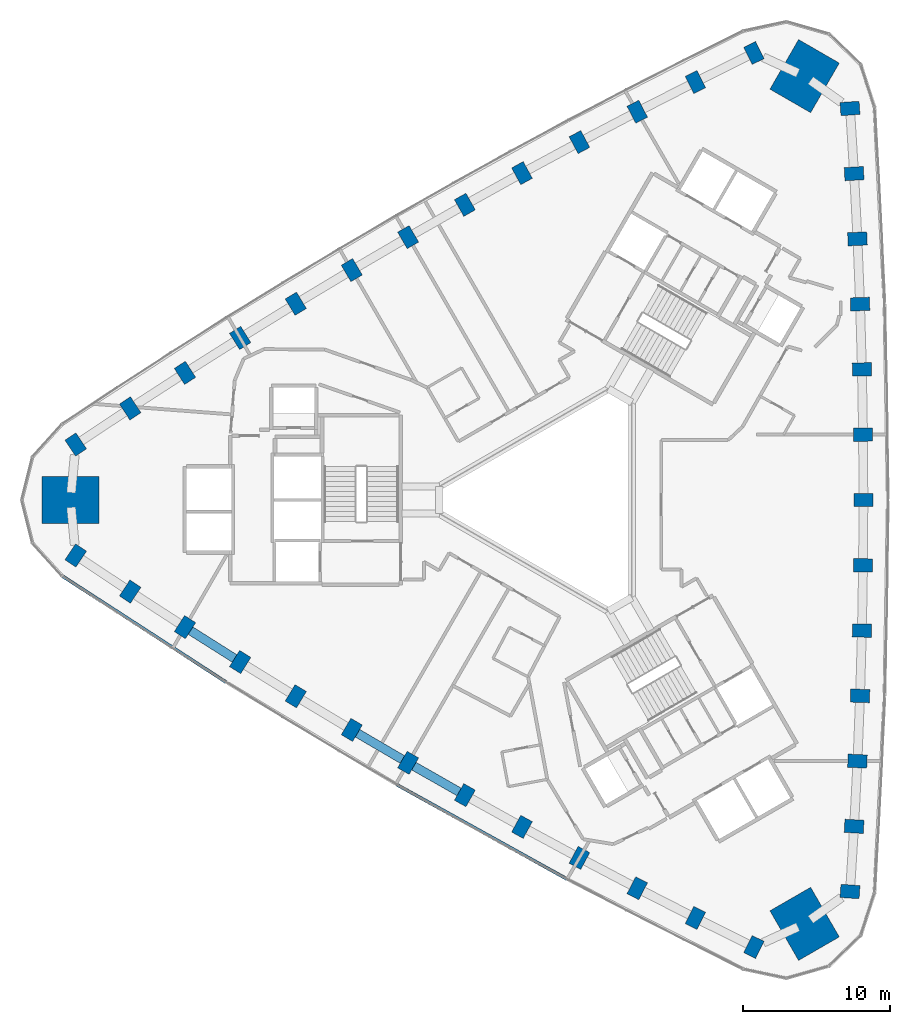
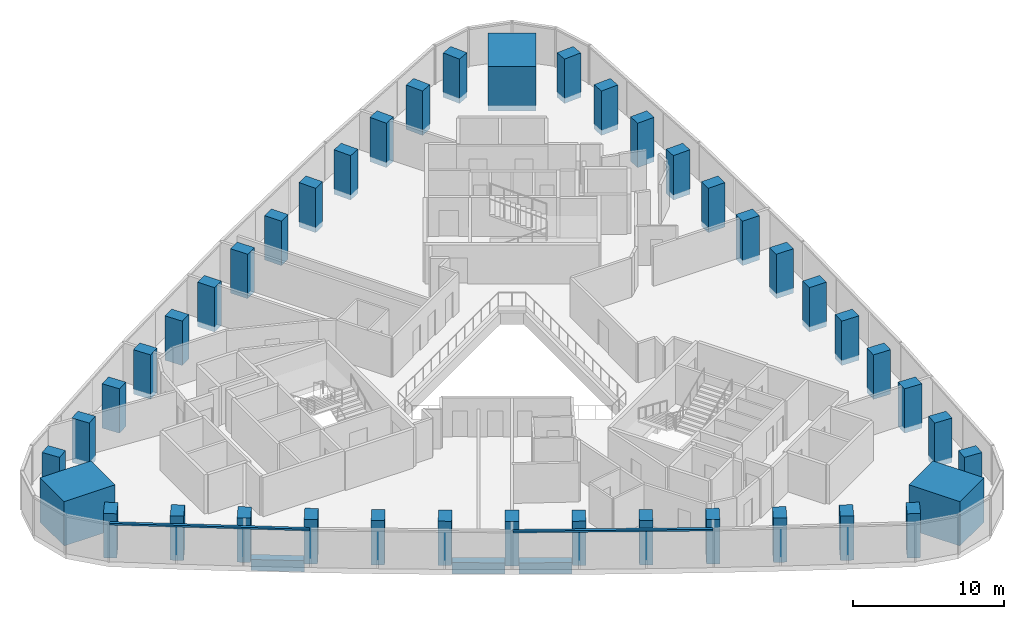
# One storey, part 1 of 12: 42 columns, 3 beams, 2 members, 1 element without a shape of its own.
"""IFC4 building model written with IfcOpenShell, lengths in metres."""

from ifc_helpers import new_model, si_unit, direction, frame, origin, origin_2d, place, context, subcontext, project, spatial, rectangle, extrude, material, material_profile, profile_set, type_object, element, aggregate, save


model = new_model("IFC4")

# Units and contexts
model_context = context("Model", 3, precision=1e-05, world=origin(), true_north=direction((0.0, 1.0)))
body_context = subcontext(model_context, "Body", "Model", "MODEL_VIEW")
ifc_project = project(units=[si_unit("LENGTHUNIT", "METRE"), si_unit("AREAUNIT", "SQUARE_METRE"), si_unit("VOLUMEUNIT", "CUBIC_METRE"), si_unit("PLANEANGLEUNIT", "RADIAN"), si_unit("MASSUNIT", "GRAM", prefix="KILO")], contexts=[model_context])

# Site, building, storey
site_placement = place(None, origin())
site = spatial("IfcSite", under=ifc_project, at=site_placement, CompositionType="ELEMENT")
building_placement = place(site_placement, origin())
building = spatial("IfcBuilding", under=site, at=building_placement, Name="Tamra Quay Hotel Tower", CompositionType="ELEMENT")
storey_placement = place(building_placement, frame((0.0, 0.0, 83.0)))
storey = spatial("IfcBuildingStorey", under=building, at=storey_placement, Name="L19", CompositionType="ELEMENT", Elevation=83.0)

# Columns
ifc_material_1 = material(Name="Concrete M70", Category="concrete")
ifc_material_profile_1 = material_profile(ifc_material_1, rectangle(XDim=1.300048828125, YDim=0.89990234375, at=origin_2d()), Name="COLUMN RC 900x1300 Z2")
ifc_profile_set_1 = profile_set([ifc_material_profile_1], Name="Concrete M70")
column_type_1 = type_object("IfcColumnType", Name="COLUMN RC 900x1300 Z2", PredefinedType="COLUMN", material=ifc_profile_set_1)
for number, where, z_axis, x_axis, name in (
    (1, (19.746337890625, -26.648681640625, -0.425048828125), (0.0, 0.0, 1.0), (-0.997682497858, 0.068041409955, 0.0), "COL-C2E01-L19"),
    (2, (20.02490234375, -22.212158203125, -0.425048828125), (0.0, 0.0, 1.0), (-0.998368034899, 0.057107502941, 0.0), "COL-C2E02-L19"),
    (3, (20.2529296875, -17.773193359375, -0.425048828125), (0.0, 0.0, 1.0), (-0.99895467426, 0.04571169187, 0.0), "COL-C2E03-L19"),
    (4, (20.430419921875, -13.331787109375, -0.425048828125), (0.0, 0.0, 1.0), (-0.999411600314, 0.034299462929, 0.0), "COL-C2E04-L19"),
    (5, (20.557373046875, -8.888916015625, -0.425048828125), (0.0, 0.0, 1.0), (-0.999738355025, 0.022874035338, 0.0), "COL-C2E05-L19"),
    (6, (20.633544921875, -4.44482421875, -0.425048828125), (0.0, 0.0, 1.0), (-0.999934576635, 0.01143863846, 0.0), "COL-C2E06-L19"),
    (7, (20.658935546875, 0.0, -0.425048828125), (0.0, 0.0, 1.0), (1.0, 0.0, 0.0), "COL-C2E07-L19"),
    (8, (20.633544921875, 4.44482421875, -0.425048828125), (0.0, 0.0, 1.0), (0.999934576635, 0.01143863846, 0.0), "COL-C2E08-L19"),
    (9, (20.557373046875, 8.888916015625, -0.425048828125), (0.0, 0.0, 1.0), (0.999738355025, 0.022874035338, 0.0), "COL-C2E09-L19"),
    (10, (20.430419921875, 13.331787109375, -0.425048828125), (0.0, 0.0, 1.0), (0.999411600314, 0.034299462929, 0.0), "COL-C2E10-L19"),
    (11, (20.2529296875, 17.773193359375, -0.425048828125), (0.0, 0.0, 1.0), (0.99895467426, 0.04571169187, 0.0), "COL-C2E11-L19"),
    (12, (20.02490234375, 22.212158203125, -0.425048828125), (0.0, 0.0, 1.0), (0.998368034899, 0.057107502941, 0.0), "COL-C2E12-L19"),
    (13, (19.746337890625, 26.648681640625, -0.425048828125), (0.0, 0.0, 1.0), (0.997682497858, 0.068041409955, 0.0), "COL-C2E13-L19"),
    (14, (13.205078125, 30.425048828125, -0.425048828125), (0.0, 0.0, 1.0), (-0.439915659398, 0.898039093033, 0.0), "COL-C2NW01-L19"),
    (15, (9.223876953125, 28.4482421875, -0.425048828125), (0.0, 0.0, 1.0), (-0.449727469156, 0.893165832019, 0.0), "COL-C2NW02-L19"),
    (16, (5.265625, 26.42626953125, -0.425048828125), (0.0, 0.0, 1.0), (-0.459889850721, 0.887975971074, 0.0), "COL-C2NW03-L19"),
    (17, (1.33056640625, 24.359375, -0.425048828125), (0.0, 0.0, 1.0), (-0.470001593924, 0.882665566174, 0.0), "COL-C2NW04-L19"),
    (18, (-2.580810546875, 22.247802734375, -0.425048828125), (0.0, 0.0, 1.0), (-0.480059681822, 0.877235830258, 0.0), "COL-C2NW05-L19"),
    (19, (-6.467529296875, 20.091552734375, -0.425048828125), (0.0, 0.0, 1.0), (-0.490061136827, 0.871688064718, 0.0), "COL-C2NW06-L19"),
    (20, (-10.32958984375, 17.89111328125, -0.425048828125), (0.0, 0.0, 1.0), (-0.5, 0.866025403784, 0.0), "COL-C2NW07-L19"),
    (21, (-14.166015625, 15.646728515625, -0.425048828125), (0.0, 0.0, 1.0), (-0.509873439808, 0.860249426259, 0.0), "COL-C2NW08-L19"),
    (22, (-17.976806640625, 13.35888671875, -0.425048828125), (0.0, 0.0, 1.0), (-0.519678673202, 0.85436179492, 0.0), "COL-C2NW09-L19"),
    (23, (-21.760986328125, 11.02734375, -0.425048828125), (0.0, 0.0, 1.0), (-0.52941000639, 0.848366103245, 0.0), "COL-C2NW10-L19"),
    (24, (-25.5185546875, 8.653076171875, -0.425048828125), (0.0, 0.0, 1.0), (-0.539064823539, 0.842264279204, 0.0), "COL-C2NW11-L19"),
    (25, (-29.248779296875, 6.23583984375, -0.425048828125), (0.0, 0.0, 1.0), (-0.548640565743, 0.836058329078, 0.0), "COL-C2NW12-L19"),
    (26, (-32.951416015625, 3.776611328125, -0.425048828125), (0.0, 0.0, 1.0), (-0.557766838459, 0.829997683078, 0.0), "COL-C2NW13-L19"),
    (27, (-32.951416015625, -3.776611328125, -0.425048828125), (0.0, 0.0, 1.0), (0.557766838459, 0.829997683078, 0.0), "COL-C2SW01-L19"),
    (28, (-29.248779296875, -6.23583984375, -0.425048828125), (0.0, 0.0, 1.0), (0.548640565743, 0.836058329078, 0.0), "COL-C2SW02-L19"),
    (29, (-25.5185546875, -8.653076171875, -0.425048828125), (0.0, 0.0, 1.0), (0.539064823539, 0.842264279204, 0.0), "COL-C2SW03-L19"),
    (30, (-21.760986328125, -11.02734375, -0.425048828125), (0.0, 0.0, 1.0), (0.52941000639, 0.848366103245, 0.0), "COL-C2SW04-L19"),
    (31, (-17.976806640625, -13.35888671875, -0.425048828125), (0.0, 0.0, 1.0), (0.519678673202, 0.85436179492, 0.0), "COL-C2SW05-L19"),
    (32, (-14.166015625, -15.646728515625, -0.425048828125), (0.0, 0.0, 1.0), (0.509873439808, 0.860249426259, 0.0), "COL-C2SW06-L19"),
    (33, (-10.32958984375, -17.89111328125, -0.425048828125), (0.0, 0.0, 1.0), (0.5, 0.866025403784, 0.0), "COL-C2SW07-L19"),
    (34, (-6.467529296875, -20.091552734375, -0.425048828125), (0.0, 0.0, 1.0), (0.490061136827, 0.871688064718, 0.0), "COL-C2SW08-L19"),
    (35, (-2.580810546875, -22.247802734375, -0.425048828125), (0.0, 0.0, 1.0), (0.480059681822, 0.877235830258, 0.0), "COL-C2SW09-L19"),
    (36, (1.33056640625, -24.359375, -0.425048828125), (0.0, 0.0, 1.0), (0.470001593924, 0.882665566174, 0.0), "COL-C2SW10-L19"),
    (37, (5.265625, -26.42626953125, -0.425048828125), (0.0, 0.0, 1.0), (0.459889850721, 0.887975971074, 0.0), "COL-C2SW11-L19"),
    (38, (9.223876953125, -28.4482421875, -0.425048828125), (0.0, 0.0, 1.0), (0.449727469156, 0.893165832019, 0.0), "COL-C2SW12-L19"),
    (39, (13.205078125, -30.425048828125, -0.425048828125), (0.0, 0.0, 1.0), (0.439915659398, 0.898039093033, 0.0), "COL-C2SW13-L19"),
):
    element("IfcColumn", number, at=place(storey_placement, frame(where, z_axis=z_axis, x_axis=x_axis)), inside=storey, type_object=column_type_1, Name=name, PredefinedType="COLUMN", context=body_context, shape_type="SweptSolid", body=[
        extrude(rectangle(XDim=1.300048828125, YDim=0.89990234375, at=origin_2d()), origin(), (0.0, 0.0, 1.0), 3.60009765625),
    ])
ifc_material_profile_2 = material_profile(ifc_material_1, rectangle(XDim=3.89990234375, YDim=3.199951171875, at=origin_2d()), Name="MEGA COLUMN RC 3200x3900 Z2")
ifc_profile_set_2 = profile_set([ifc_material_profile_2], Name="Concrete M70")
column_type_2 = type_object("IfcColumnType", Name="MEGA COLUMN RC 3200x3900 Z2", PredefinedType="COLUMN", material=ifc_profile_set_2)
for number, where, z_axis, x_axis, name in (
    (40, (16.65673828125, 28.8505859375, -0.425048828125), (0.0, 0.0, 1.0), (0.5, 0.866025403784, 0.0), "COL-M2NE-L19"),
    (41, (-33.313720703125, 0.0, -0.425048828125), (0.0, 0.0, 1.0), (1.0, 0.0, 0.0), "COL-M2W-L19"),
    (42, (16.65673828125, -28.8505859375, -0.425048828125), (0.0, 0.0, 1.0), (-0.5, 0.866025403784, 0.0), "COL-M2SE-L19"),
):
    element("IfcColumn", number, at=place(storey_placement, frame(where, z_axis=z_axis, x_axis=x_axis)), inside=storey, type_object=column_type_2, Name=name, PredefinedType="COLUMN", context=body_context, shape_type="SweptSolid", body=[
        extrude(rectangle(XDim=3.89990234375, YDim=3.199951171875, at=origin_2d()), origin(), (0.0, 0.0, 1.0), 3.60009765625),
    ])

# Beams
ifc_material_2 = material(Name="Concrete M60", Category="concrete")
ifc_material_profile_3 = material_profile(ifc_material_2, rectangle(XDim=0.60009765625, YDim=0.89990234375, at=origin_2d()), Name="SPANDREL BEAM RC 600x900")
ifc_profile_set_3 = profile_set([ifc_material_profile_3], Name="Concrete M60")
beam_type = type_object("IfcBeamType", Name="SPANDREL BEAM RC 600x900", PredefinedType="SPANDREL", material=ifc_profile_set_3)
beam_1_placement = place(storey_placement, frame((-25.13818359375, -8.893310546875, -0.875), z_axis=(0.845333394052, -0.534239134566, 0.0), x_axis=(0.534239134566, 0.845333394052, 0.0)))
element("IfcBeam", 43, at=beam_1_placement, inside=storey, type_object=beam_type, Name="BM-SP2-030-L19", PredefinedType="SPANDREL", context=body_context, shape_type="SweptSolid", body=[
    extrude(rectangle(XDim=0.60009765625, YDim=0.89990234375, at=origin_2d()), origin(), (0.0, 0.0, 1.0), 3.544921875),
])
beam_2_placement = place(storey_placement, frame((-13.777587890625, -15.8740234375, -0.875), z_axis=(0.863128698129, -0.504984010109, 0.0), x_axis=(0.504984010109, 0.863128698129, 0.0)))
element("IfcBeam", 44, at=beam_2_placement, inside=storey, type_object=beam_type, Name="BM-SP2-033-L19", PredefinedType="SPANDREL", context=body_context, shape_type="SweptSolid", body=[
    extrude(rectangle(XDim=0.60009765625, YDim=0.89990234375, at=origin_2d()), origin(), (0.0, 0.0, 1.0), 3.544677734375),
])
beam_3_placement = place(storey_placement, frame((-9.9384765625, -18.114013671875, -0.875), z_axis=(0.868869699181, -0.495040852704, 0.0), x_axis=(0.495040852704, 0.868869699181, 0.0)))
element("IfcBeam", 45, at=beam_3_placement, inside=storey, type_object=beam_type, Name="BM-SP2-034-L19", PredefinedType="SPANDREL", context=body_context, shape_type="SweptSolid", body=[
    extrude(rectangle(XDim=0.60009765625, YDim=0.89990234375, at=origin_2d()), origin(), (0.0, 0.0, 1.0), 3.544921875),
])

# Curtain wall, members
ifc_material_3 = material(Name="Aluminium 6063 anodised dark grey", Category="aluminium")
curtain_wall_type = type_object("IfcCurtainWallType", Name="CW3 CURTAIN WALL", PredefinedType="NOTDEFINED", material=ifc_material_3)
curtain_wall_placement = place(storey_placement, origin())
curtain_wall = element("IfcCurtainWall", 46, at=curtain_wall_placement, inside=storey, type_object=curtain_wall_type, Name="CW3 south-west face L19", PredefinedType="NOTDEFINED")
ifc_material_profile_4 = material_profile(ifc_material_3, rectangle(XDim=0.219970703125, YDim=0.139892578125, at=origin_2d()), Name="TRANSOM 220X140")
ifc_profile_set_4 = profile_set([ifc_material_profile_4], Name="Aluminium 6063 anodised dark grey")
member_type = type_object("IfcMemberType", Name="TRANSOM CW3 Z2", PredefinedType="USERDEFINED", material=ifc_profile_set_4)
member_1_placement = place(storey_placement, frame((-33.843505859375, -5.193603515625, 3.10498046875), z_axis=(0.839227967527, -0.543779751849, 0.0), x_axis=(0.543779751849, 0.839227967527, 0.0)))
member_1 = element("IfcMember", 47, at=member_1_placement, type_object=member_type, Name="CW3 transom L19.SW.1", ObjectType="TRANSOM", PredefinedType="USERDEFINED", context=body_context, shape_type="SweptSolid", body=[
    extrude(rectangle(XDim=0.219970703125, YDim=0.139892578125, at=origin_2d()), origin(), (0.0, 0.0, 1.0), 13.290771484375),
])
member_2_placement = place(storey_placement, frame((-11.123046875, -19.36572265625, 3.10498046875), z_axis=(0.874463819192, -0.48509074298, 0.0), x_axis=(0.48509074298, 0.874463819192, 0.0)))
member_2 = element("IfcMember", 48, at=member_2_placement, type_object=member_type, Name="CW3 transom L19.SW.7", ObjectType="TRANSOM", PredefinedType="USERDEFINED", context=body_context, shape_type="SweptSolid", body=[
    extrude(rectangle(XDim=0.219970703125, YDim=0.139892578125, at=origin_2d()), origin(), (0.0, 0.0, 1.0), 13.291259765625),
])
aggregate(curtain_wall, [member_1, member_2])

save(model, "model.ifc")
